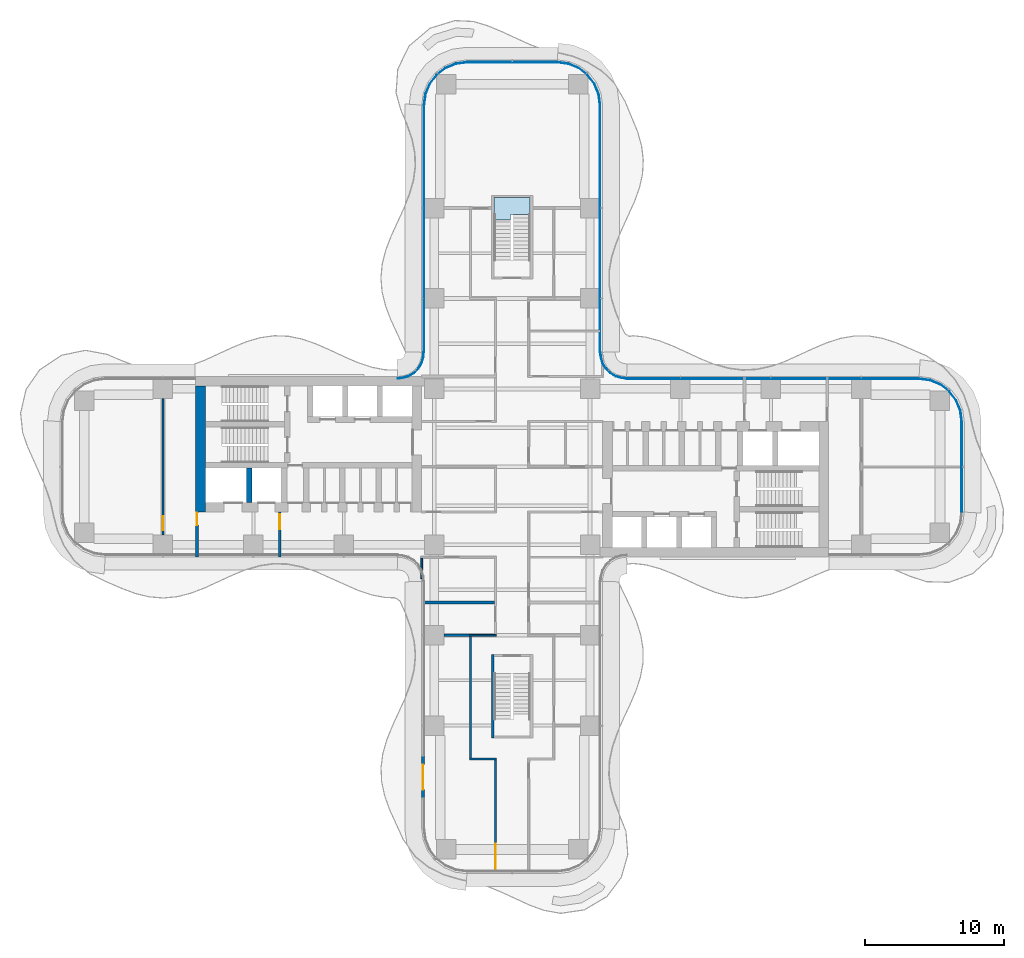
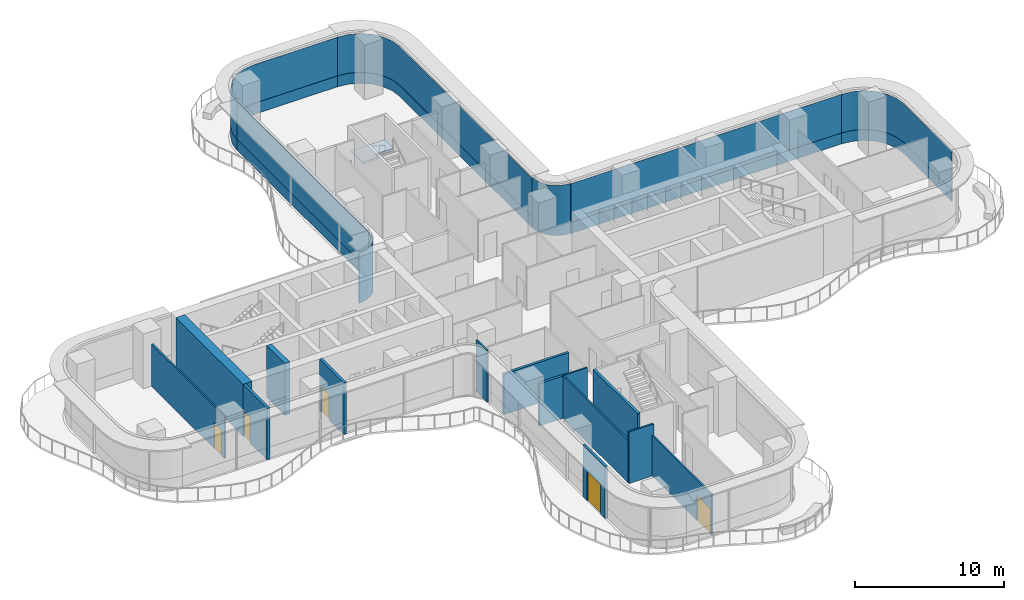
# One storey, part 16 of 22: 14 walls, 12 plates, 5 doors, 1 slab, 5 openings, 8 elements without a shape of their own.
"""IFC4 building model written with IfcOpenShell, lengths in metres."""

from ifc_helpers import new_model, si_unit, direction, frame, frame_2d, origin, place, context, subcontext, project, spatial, polyline, rectangle, outline, extrude, source, transform, mapped, material, layer, layer_set, type_object, element, fill, aggregate, save


model = new_model("IFC4")

# Units and contexts
model_context = context("Model", 3, precision=1e-05, world=origin(), true_north=direction((0.0, 1.0)))
body_context = subcontext(model_context, "Body", "Model", "MODEL_VIEW")
ifc_project = project(units=[si_unit("LENGTHUNIT", "METRE"), si_unit("AREAUNIT", "SQUARE_METRE"), si_unit("VOLUMEUNIT", "CUBIC_METRE"), si_unit("PLANEANGLEUNIT", "RADIAN"), si_unit("MASSUNIT", "GRAM", prefix="KILO")], contexts=[model_context])

# Site, building, storey
site_placement = place(None, origin())
site = spatial("IfcSite", under=ifc_project, at=site_placement, CompositionType="ELEMENT")
building_placement = place(site_placement, origin())
building = spatial("IfcBuilding", under=site, at=building_placement, Name="Trellis Farm Tower", CompositionType="ELEMENT")
storey_placement = place(building_placement, frame((0.0, 0.0, 52.0)))
storey = spatial("IfcBuildingStorey", under=building, at=storey_placement, Name="L10", CompositionType="ELEMENT", Elevation=52.0)

# Stair, slab
ifc_material_1 = material(Name="Concrete C50/60", Category="concrete")
stair_type = type_object("IfcStairType", Name="CORE EXIT STAIR 26 RISERS 173 MM", PredefinedType="HALF_TURN_STAIR", material=ifc_material_1)
placement_1 = place(storey_placement, origin())
stair = element("IfcStair", 1, at=placement_1, inside=storey, type_object=stair_type, Name="Exit stair N", PredefinedType="HALF_TURN_STAIR")
ifc_layer_1 = layer(ifc_material_1, 0.18994140625)
ifc_layer_set_1 = layer_set([ifc_layer_1], Name="CORE STAIR LANDING 190 CONCRETE C50/60")
slab_type = type_object("IfcSlabType", Name="CORE STAIR LANDING 190 CONCRETE C50/60", PredefinedType="LANDING", material=ifc_layer_set_1)
shared_shape_1 = source(origin(), body_context, "Body", "SweptSolid", [
    extrude(outline(polyline([(-0.10009765625, 17.753173828125), (-1.300048828125, 17.753173828125), (-1.300048828125, 18.14990234375), (-1.300048828125, 19.35009765625), (1.300048828125, 19.35009765625), (1.300048828125, 18.14990234375), (1.300048828125, 18.139892578125), (0.10009765625, 18.139892578125), (0.10009765625, 18.14990234375), (-0.10009765625, 18.14990234375), (-0.10009765625, 17.753173828125)])), origin(), (0.0, 0.0, 1.0), 0.18994140625),
])
slab_placement = place(storey_placement, frame((0.0, 0.0, 2.06005859375)))
slab = element("IfcSlab", 2, at=slab_placement, type_object=slab_type, Name="STN landing 1", PredefinedType="LANDING", context=body_context, shape_type="MappedRepresentation", body=[
    mapped(shared_shape_1, transform((0.0, 0.0, 0.0))),
])
aggregate(stair, [slab])

# Curtain wall, plates
ifc_material_2 = material(Name="Aluminium and glass curtain wall", Category="aluminium")
ifc_layer_2 = layer(ifc_material_2, 0.18994140625)
ifc_layer_set_2 = layer_set([ifc_layer_2], Name="RIBBON CURTAIN WALL CW1")
curtain_wall_type_1 = type_object("IfcCurtainWallType", Name="RIBBON CURTAIN WALL CW1", PredefinedType="NOTDEFINED", material=ifc_layer_set_2)
curtain_wall_1 = element("IfcCurtainWall", 3, at=placement_1, inside=storey, type_object=curtain_wall_type_1, Name="CW1 008", PredefinedType="NOTDEFINED")
ifc_material_3 = material(Name="Clear insulated glass", Category="glass")
ifc_layer_3 = layer(ifc_material_3, 0.0400390625)
ifc_layer_set_3 = layer_set([ifc_layer_3], Name="CW1 GLASS PANEL 40")
plate_type_1 = type_object("IfcPlateType", Name="CW1 GLASS PANEL 40", PredefinedType="CURTAIN_PANEL", material=ifc_layer_set_3)
shared_shape_2 = source(origin(), body_context, "Body", "SweptSolid", [
    extrude(outline(polyline([(29.240234375, 6.35009765625), (8.2265625, 6.35009765625), (8.22509765625, 6.31005859375), (29.237548828125, 6.31005859375), (29.240234375, 6.35009765625)])), origin(), (0.0, 0.0, 1.0), 3.170166015625),
])
placement_2 = place(storey_placement, frame((0.0, 0.0, 0.89990234375)))
plate_1 = element("IfcPlate", 4, at=placement_2, type_object=plate_type_1, Name="PL1 008", PredefinedType="CURTAIN_PANEL", context=body_context, shape_type="MappedRepresentation", body=[
    mapped(shared_shape_2, transform((0.0, 0.0, 0.0))),
])
ifc_material_4 = material(Name="Sandstone faced insulated panel", Category="masonry")
ifc_layer_4 = layer(ifc_material_4, 0.050048828125)
ifc_layer_set_4 = layer_set([ifc_layer_4], Name="CW1 STONE SPANDREL PANEL 50")
plate_type_2 = type_object("IfcPlateType", Name="CW1 STONE SPANDREL PANEL 50", PredefinedType="CURTAIN_PANEL", material=ifc_layer_set_4)
shared_shape_3 = source(origin(), body_context, "Body", "SweptSolid", [
    extrude(outline(polyline([(29.240234375, 6.35009765625), (8.2265625, 6.35009765625), (8.224853515625, 6.300048828125), (29.23681640625, 6.300048828125), (29.240234375, 6.35009765625)])), origin(), (0.0, 0.0, 1.0), 0.89990234375),
])
plate_2 = element("IfcPlate", 5, at=placement_1, type_object=plate_type_2, Name="PS1 008", PredefinedType="CURTAIN_PANEL", context=body_context, shape_type="MappedRepresentation", body=[
    mapped(shared_shape_3, transform((0.0, 0.0, 0.0))),
])
aggregate(curtain_wall_1, [plate_1, plate_2])

# Curtain wall, plate
ifc_layer_5 = layer(ifc_material_2, 0.166015625)
ifc_layer_set_5 = layer_set([ifc_layer_5], Name="WINTER GARDEN CURTAIN WALL CW3")
curtain_wall_type_2 = type_object("IfcCurtainWallType", Name="WINTER GARDEN CURTAIN WALL CW3", PredefinedType="NOTDEFINED", material=ifc_layer_set_5)
curtain_wall_2 = element("IfcCurtainWall", 6, at=placement_1, inside=storey, type_object=curtain_wall_type_2, Name="CW3 003", PredefinedType="NOTDEFINED")
ifc_layer_6 = layer(ifc_material_3, 0.0458984375)
ifc_layer_set_6 = layer_set([ifc_layer_6], Name="CW3 GLASS PANEL 46")
plate_type_3 = type_object("IfcPlateType", Name="CW3 GLASS PANEL 46", PredefinedType="CURTAIN_PANEL", material=ifc_layer_set_6)
shared_shape_4 = source(origin(), body_context, "Body", "SweptSolid", [
    extrude(outline(polyline([(8.2275390625, 6.3798828125), (8.0078125, 6.394287109375), (7.89208984375, 6.40966796875), (7.462158203125, 6.52490234375), (7.070556640625, 6.7509765625), (6.7509765625, 7.070556640625), (6.52490234375, 7.462158203125), (6.40966796875, 7.89208984375), (6.394287109375, 8.0078125), (6.3798828125, 8.2275390625), (6.333984375, 8.22607421875), (6.3486328125, 8.003173828125), (6.364501953125, 7.883056640625), (6.48193359375, 7.4443359375), (6.714111328125, 7.04248046875), (7.04248046875, 6.714111328125), (7.4443359375, 6.48193359375), (7.883056640625, 6.364501953125), (8.003173828125, 6.3486328125), (8.22607421875, 6.333984375), (8.2275390625, 6.3798828125)])), origin(), (0.0, 0.0, 1.0), 4.10009765625),
])
plate_3 = element("IfcPlate", 7, at=placement_1, type_object=plate_type_3, Name="PL3 003", PredefinedType="CURTAIN_PANEL", context=body_context, shape_type="MappedRepresentation", body=[
    mapped(shared_shape_4, transform((0.0, 0.0, 0.0))),
])
aggregate(curtain_wall_2, [plate_3])

# Curtain wall, plates
curtain_wall_3 = element("IfcCurtainWall", 8, at=placement_1, inside=storey, type_object=curtain_wall_type_1, Name="CW1 010", PredefinedType="NOTDEFINED")
shared_shape_5 = source(origin(), body_context, "Body", "SweptSolid", [
    extrude(outline(polyline([(3.240234375, 29.10009765625), (-3.240234375, 29.10009765625), (-4.052001953125, 28.9931640625), (-4.79931640625, 28.68359375), (-5.441162109375, 28.191162109375), (-5.93359375, 27.54931640625), (-6.2431640625, 26.802001953125), (-6.35009765625, 25.990234375), (-6.31005859375, 25.987548828125), (-6.2041015625, 26.79150390625), (-5.898681640625, 27.529296875), (-5.41259765625, 28.16259765625), (-4.779296875, 28.648681640625), (-4.04150390625, 28.9541015625), (-3.237548828125, 29.06005859375), (3.237548828125, 29.06005859375), (3.240234375, 29.10009765625)])), origin(), (0.0, 0.0, 1.0), 3.170166015625),
])
plate_4 = element("IfcPlate", 9, at=placement_2, type_object=plate_type_1, Name="PL1 010", PredefinedType="CURTAIN_PANEL", context=body_context, shape_type="MappedRepresentation", body=[
    mapped(shared_shape_5, transform((0.0, 0.0, 0.0))),
])
shared_shape_6 = source(origin(), body_context, "Body", "SweptSolid", [
    extrude(outline(polyline([(3.240234375, 29.10009765625), (-3.240234375, 29.10009765625), (-4.052001953125, 28.9931640625), (-4.79931640625, 28.68359375), (-5.441162109375, 28.191162109375), (-5.93359375, 27.54931640625), (-6.2431640625, 26.802001953125), (-6.35009765625, 25.990234375), (-6.300048828125, 25.98681640625), (-6.1943359375, 26.7890625), (-5.889892578125, 27.524169921875), (-5.405517578125, 28.155517578125), (-4.774169921875, 28.639892578125), (-4.0390625, 28.9443359375), (-3.23681640625, 29.050048828125), (3.23681640625, 29.050048828125), (3.240234375, 29.10009765625)])), origin(), (0.0, 0.0, 1.0), 0.89990234375),
])
plate_5 = element("IfcPlate", 10, at=placement_1, type_object=plate_type_2, Name="PS1 010", PredefinedType="CURTAIN_PANEL", context=body_context, shape_type="MappedRepresentation", body=[
    mapped(shared_shape_6, transform((0.0, 0.0, 0.0))),
])
aggregate(curtain_wall_3, [plate_4, plate_5])

curtain_wall_4 = element("IfcCurtainWall", 11, at=placement_1, inside=storey, type_object=curtain_wall_type_1, Name="CW1 011", PredefinedType="NOTDEFINED")
shared_shape_7 = source(origin(), body_context, "Body", "SweptSolid", [
    extrude(outline(polyline([(-6.35009765625, 25.990234375), (-6.35009765625, 8.2265625), (-6.31005859375, 8.22509765625), (-6.31005859375, 25.987548828125), (-6.35009765625, 25.990234375)])), origin(), (0.0, 0.0, 1.0), 3.170166015625),
])
plate_6 = element("IfcPlate", 12, at=placement_2, type_object=plate_type_1, Name="PL1 011", PredefinedType="CURTAIN_PANEL", context=body_context, shape_type="MappedRepresentation", body=[
    mapped(shared_shape_7, transform((0.0, 0.0, 0.0))),
])
shared_shape_8 = source(origin(), body_context, "Body", "SweptSolid", [
    extrude(outline(polyline([(-6.35009765625, 25.990234375), (-6.35009765625, 8.2265625), (-6.300048828125, 8.224853515625), (-6.300048828125, 25.98681640625), (-6.35009765625, 25.990234375)])), origin(), (0.0, 0.0, 1.0), 0.89990234375),
])
plate_7 = element("IfcPlate", 13, at=placement_1, type_object=plate_type_2, Name="PS1 011", PredefinedType="CURTAIN_PANEL", context=body_context, shape_type="MappedRepresentation", body=[
    mapped(shared_shape_8, transform((0.0, 0.0, 0.0))),
])
aggregate(curtain_wall_4, [plate_6, plate_7])

# Curtain wall, plate
curtain_wall_5 = element("IfcCurtainWall", 14, at=placement_1, inside=storey, type_object=curtain_wall_type_2, Name="CW3 004", PredefinedType="NOTDEFINED")
shared_shape_9 = source(origin(), body_context, "Body", "SweptSolid", [
    extrude(outline(polyline([(-6.3798828125, 8.2275390625), (-6.394287109375, 8.0078125), (-6.40966796875, 7.89208984375), (-6.52490234375, 7.462158203125), (-6.7509765625, 7.070556640625), (-7.070556640625, 6.7509765625), (-7.462158203125, 6.52490234375), (-7.89208984375, 6.40966796875), (-8.0078125, 6.394287109375), (-8.2275390625, 6.3798828125), (-8.22607421875, 6.333984375), (-8.003173828125, 6.3486328125), (-7.883056640625, 6.364501953125), (-7.4443359375, 6.48193359375), (-7.04248046875, 6.714111328125), (-6.714111328125, 7.04248046875), (-6.48193359375, 7.4443359375), (-6.364501953125, 7.883056640625), (-6.3486328125, 8.003173828125), (-6.333984375, 8.22607421875), (-6.3798828125, 8.2275390625)])), origin(), (0.0, 0.0, 1.0), 4.10009765625),
])
plate_8 = element("IfcPlate", 15, at=placement_1, type_object=plate_type_3, Name="PL3 004", PredefinedType="CURTAIN_PANEL", context=body_context, shape_type="MappedRepresentation", body=[
    mapped(shared_shape_9, transform((0.0, 0.0, 0.0))),
])
aggregate(curtain_wall_5, [plate_8])

# Curtain wall, plates
curtain_wall_6 = element("IfcCurtainWall", 16, at=placement_1, inside=storey, type_object=curtain_wall_type_1, Name="CW1 009", PredefinedType="NOTDEFINED")
shared_shape_10 = source(origin(), body_context, "Body", "SweptSolid", [
    extrude(outline(polyline([(6.35009765625, 8.2265625), (6.35009765625, 25.990234375), (6.2431640625, 26.802001953125), (5.93359375, 27.54931640625), (5.441162109375, 28.191162109375), (4.79931640625, 28.68359375), (4.052001953125, 28.9931640625), (3.240234375, 29.10009765625), (3.237548828125, 29.06005859375), (4.04150390625, 28.9541015625), (4.779296875, 28.648681640625), (5.41259765625, 28.16259765625), (5.898681640625, 27.529296875), (6.2041015625, 26.79150390625), (6.31005859375, 25.987548828125), (6.31005859375, 8.22509765625), (6.35009765625, 8.2265625)])), origin(), (0.0, 0.0, 1.0), 3.170166015625),
])
plate_9 = element("IfcPlate", 17, at=placement_2, type_object=plate_type_1, Name="PL1 009", PredefinedType="CURTAIN_PANEL", context=body_context, shape_type="MappedRepresentation", body=[
    mapped(shared_shape_10, transform((0.0, 0.0, 0.0))),
])
shared_shape_11 = source(origin(), body_context, "Body", "SweptSolid", [
    extrude(outline(polyline([(6.35009765625, 8.2265625), (6.35009765625, 25.990234375), (6.2431640625, 26.802001953125), (5.93359375, 27.54931640625), (5.441162109375, 28.191162109375), (4.79931640625, 28.68359375), (4.052001953125, 28.9931640625), (3.240234375, 29.10009765625), (3.23681640625, 29.050048828125), (4.0390625, 28.9443359375), (4.774169921875, 28.639892578125), (5.405517578125, 28.155517578125), (5.889892578125, 27.524169921875), (6.1943359375, 26.7890625), (6.300048828125, 25.98681640625), (6.300048828125, 8.224853515625), (6.35009765625, 8.2265625)])), origin(), (0.0, 0.0, 1.0), 0.89990234375),
])
plate_10 = element("IfcPlate", 18, at=placement_1, type_object=plate_type_2, Name="PS1 009", PredefinedType="CURTAIN_PANEL", context=body_context, shape_type="MappedRepresentation", body=[
    mapped(shared_shape_11, transform((0.0, 0.0, 0.0))),
])
aggregate(curtain_wall_6, [plate_9, plate_10])

curtain_wall_7 = element("IfcCurtainWall", 19, at=placement_1, inside=storey, type_object=curtain_wall_type_1, Name="CW1 007", PredefinedType="NOTDEFINED")
shared_shape_12 = source(origin(), body_context, "Body", "SweptSolid", [
    extrude(outline(polyline([(32.35009765625, -3.240234375), (32.35009765625, 3.240234375), (32.2431640625, 4.052001953125), (31.93359375, 4.79931640625), (31.441162109375, 5.441162109375), (30.79931640625, 5.93359375), (30.052001953125, 6.2431640625), (29.240234375, 6.35009765625), (29.237548828125, 6.31005859375), (30.04150390625, 6.2041015625), (30.779296875, 5.898681640625), (31.41259765625, 5.41259765625), (31.898681640625, 4.779296875), (32.2041015625, 4.04150390625), (32.31005859375, 3.237548828125), (32.31005859375, -3.237548828125), (32.35009765625, -3.240234375)])), origin(), (0.0, 0.0, 1.0), 3.170166015625),
])
plate_11 = element("IfcPlate", 20, at=placement_2, type_object=plate_type_1, Name="PL1 007", PredefinedType="CURTAIN_PANEL", context=body_context, shape_type="MappedRepresentation", body=[
    mapped(shared_shape_12, transform((0.0, 0.0, 0.0))),
])
shared_shape_13 = source(origin(), body_context, "Body", "SweptSolid", [
    extrude(outline(polyline([(32.35009765625, -3.240234375), (32.35009765625, 3.240234375), (32.2431640625, 4.052001953125), (31.93359375, 4.79931640625), (31.441162109375, 5.441162109375), (30.79931640625, 5.93359375), (30.052001953125, 6.2431640625), (29.240234375, 6.35009765625), (29.23681640625, 6.300048828125), (30.0390625, 6.1943359375), (30.774169921875, 5.889892578125), (31.405517578125, 5.405517578125), (31.889892578125, 4.774169921875), (32.1943359375, 4.0390625), (32.300048828125, 3.23681640625), (32.300048828125, -3.23681640625), (32.35009765625, -3.240234375)])), origin(), (0.0, 0.0, 1.0), 0.89990234375),
])
plate_12 = element("IfcPlate", 21, at=placement_1, type_object=plate_type_2, Name="PS1 007", PredefinedType="CURTAIN_PANEL", context=body_context, shape_type="MappedRepresentation", body=[
    mapped(shared_shape_13, transform((0.0, 0.0, 0.0))),
])
aggregate(curtain_wall_7, [plate_11, plate_12])

# Walls
ifc_material_5 = material(Name="Concrete C80/95", Category="concrete")
ifc_layer_7 = layer(ifc_material_5, 0.699951171875)
ifc_layer_set_7 = layer_set([ifc_layer_7], Name="CORE OUTER WALL 700 CONCRETE C80/95")
wall_type_1 = type_object("IfcWallType", Name="CORE OUTER WALL 700 CONCRETE C80/95", PredefinedType="SHEAR", material=ifc_layer_set_7)
shared_shape_14 = source(origin(), body_context, "Body", "SweptSolid", [
    extrude(rectangle(XDim=9.050048828125, YDim=0.699951171875, at=frame_2d((4.52490234375, 0.0))), origin(), (0.0, 0.0, 1.0), 4.25),
])
wall_1_placement = place(storey_placement, frame((-22.39990234375, 5.800048828125, 0.0), z_axis=(0.0, 0.0, 1.0), x_axis=(0.0, -1.0, 0.0)))
element("IfcWall", 22, at=wall_1_placement, inside=storey, type_object=wall_type_1, Name="Core wall", PredefinedType="SHEAR", context=body_context, shape_type="MappedRepresentation", body=[
    mapped(shared_shape_14, transform((0.0, 0.0, 0.0))),
])
ifc_layer_8 = layer(ifc_material_5, 0.39990234375)
ifc_layer_set_8 = layer_set([ifc_layer_8], Name="CORE INNER WALL 400 CONCRETE C80/95")
wall_type_2 = type_object("IfcWallType", Name="CORE INNER WALL 400 CONCRETE C80/95", PredefinedType="SHEAR", material=ifc_layer_set_8)
shared_shape_15 = source(origin(), body_context, "Body", "SweptSolid", [
    extrude(rectangle(XDim=2.449951171875, YDim=0.39990234375, at=frame_2d((1.22509765625, 0.0))), origin(), (0.0, 0.0, 1.0), 4.25),
])
wall_2_placement = place(storey_placement, frame((-18.89990234375, -0.10009765625, 0.0), z_axis=(0.0, 0.0, 1.0), x_axis=(0.0, -1.0, 0.0)))
element("IfcWall", 23, at=wall_2_placement, inside=storey, type_object=wall_type_2, Name="Core wall", PredefinedType="SHEAR", context=body_context, shape_type="MappedRepresentation", body=[
    mapped(shared_shape_15, transform((0.0, 0.0, 0.0))),
])

# Wall, opening, door
ifc_material_6 = material(Name="Masonry blockwork", Category="masonry")
ifc_layer_9 = layer(ifc_material_6, 0.199951171875)
ifc_layer_set_9 = layer_set([ifc_layer_9], Name="FIRE LOBBY PARTITION 200 BLOCKWORK")
wall_type_3 = type_object("IfcWallType", Name="FIRE LOBBY PARTITION 200 BLOCKWORK", PredefinedType="PARTITIONING", material=ifc_layer_set_9)
shared_shape_16 = source(origin(), body_context, "Body", "SweptSolid", [
    extrude(rectangle(XDim=3.25, YDim=0.199951171875, at=frame_2d((1.625, 0.0))), origin(), (0.0, 0.0, 1.0), 4.25),
])
wall_3_placement = place(storey_placement, frame((-16.699951171875, -3.25, 0.0), z_axis=(0.0, 0.0, 1.0), x_axis=(0.0, -1.0, 0.0)))
wall_3 = element("IfcWall", 24, at=wall_3_placement, inside=storey, type_object=wall_type_3, Name="Fire-fighting lobby partition", PredefinedType="PARTITIONING", context=body_context, shape_type="MappedRepresentation", body=[
    mapped(shared_shape_16, transform((0.0, 0.0, 0.0))),
])
shared_shape_17 = source(origin(), body_context, "Body", "SweptSolid", [
    extrude(rectangle(XDim=1.10009765625, YDim=2.10009765625, at=frame_2d((0.550048828125, 1.050048828125))), frame((0.0, 0.110107421875, 0.0), z_axis=(0.0, -1.0, 0.0), x_axis=(1.0, 0.0, 0.0)), (0.0, 0.0, 1.0), 0.22021484375),
])
opening_1_placement = place(wall_3_placement, frame((0.14990234375, 0.0, 0.0)))
opening_1 = element("IfcOpeningElement", 25, at=opening_1_placement, cuts=wall_3, Name="Opening DC93", PredefinedType="OPENING", context=body_context, shape_type="MappedRepresentation", body=[
    mapped(shared_shape_17, transform((0.0, 0.0, 0.0))),
])
ifc_material_7 = material(Name="Steel", Category="steel")
door_type_1 = type_object("IfcDoorType", Name="CORE FIRE DOOR 1100 X 2100", OperationType="NOTDEFINED", PredefinedType="DOOR", material=ifc_material_7)
shared_shape_18 = source(origin(), body_context, "Body", "SweptSolid", [
    extrude(rectangle(XDim=1.10009765625, YDim=2.10009765625, at=frame_2d((0.550048828125, 1.050048828125))), frame((0.0, 0.02490234375, 0.0), z_axis=(0.0, -1.0, 0.0), x_axis=(1.0, 0.0, 0.0)), (0.0, 0.0, 1.0), 0.050048828125),
])
door_1_placement = place(opening_1_placement, origin())
door_1 = element("IfcDoor", 26, at=door_1_placement, inside=storey, type_object=door_type_1, Name="Core door", OperationType="SINGLE_SWING_RIGHT", OverallHeight=2.10009765625, OverallWidth=1.10009765625, PredefinedType="DOOR", context=body_context, shape_type="MappedRepresentation", body=[
    mapped(shared_shape_18, transform((0.0, 0.0, 0.0))),
])
fill(opening_1, door_1)

wall_4_placement = place(storey_placement, frame((-22.64990234375, -3.25, 0.0), z_axis=(0.0, 0.0, 1.0), x_axis=(0.0, -1.0, 0.0)))
wall_4 = element("IfcWall", 27, at=wall_4_placement, inside=storey, type_object=wall_type_3, Name="Fire-fighting lobby partition", PredefinedType="PARTITIONING", context=body_context, shape_type="MappedRepresentation", body=[
    mapped(shared_shape_16, transform((0.0, 0.0, 0.0))),
])
shared_shape_19 = source(origin(), body_context, "Body", "SweptSolid", [
    extrude(rectangle(XDim=0.89990234375, YDim=2.10009765625, at=frame_2d((0.449951171875, 1.050048828125))), frame((0.0, 0.110107421875, 0.0), z_axis=(0.0, -1.0, 0.0), x_axis=(1.0, 0.0, 0.0)), (0.0, 0.0, 1.0), 0.22021484375),
])
opening_2_placement = place(wall_4_placement, frame((0.050048828125, 0.0, 0.0)))
opening_2 = element("IfcOpeningElement", 28, at=opening_2_placement, cuts=wall_4, Name="Opening DC94", PredefinedType="OPENING", context=body_context, shape_type="MappedRepresentation", body=[
    mapped(shared_shape_19, transform((0.0, 0.0, 0.0))),
])
door_type_2 = type_object("IfcDoorType", Name="CORE FIRE DOOR 900 X 2100", OperationType="NOTDEFINED", PredefinedType="DOOR", material=ifc_material_7)
shared_shape_20 = source(origin(), body_context, "Body", "SweptSolid", [
    extrude(rectangle(XDim=0.89990234375, YDim=2.10009765625, at=frame_2d((0.449951171875, 1.050048828125))), frame((0.0, 0.02490234375, 0.0), z_axis=(0.0, -1.0, 0.0), x_axis=(1.0, 0.0, 0.0)), (0.0, 0.0, 1.0), 0.050048828125),
])
door_2_placement = place(opening_2_placement, origin())
door_2 = element("IfcDoor", 29, at=door_2_placement, inside=storey, type_object=door_type_2, Name="Core door", OperationType="SINGLE_SWING_RIGHT", OverallHeight=2.10009765625, OverallWidth=0.89990234375, PredefinedType="DOOR", context=body_context, shape_type="MappedRepresentation", body=[
    mapped(shared_shape_20, transform((0.0, 0.0, 0.0))),
])
fill(opening_2, door_2)

# Wall
ifc_layer_10 = layer(ifc_material_5, 0.199951171875)
ifc_layer_set_10 = layer_set([ifc_layer_10], Name="CORE STAIR ENCLOSURE WALL 200 CONCRETE C80/95")
wall_type_4 = type_object("IfcWallType", Name="CORE STAIR ENCLOSURE WALL 200 CONCRETE C80/95", PredefinedType="SHEAR", material=ifc_layer_set_10)
shared_shape_21 = source(origin(), body_context, "Body", "SweptSolid", [
    extrude(rectangle(XDim=6.0, YDim=0.199951171875, at=frame_2d((3.0, 0.0))), origin(), (0.0, 0.0, 1.0), 4.25),
])
wall_5_placement = place(storey_placement, frame((-1.39990234375, -13.5, 0.0), z_axis=(0.0, 0.0, 1.0), x_axis=(0.0, -1.0, 0.0)))
element("IfcWall", 30, at=wall_5_placement, inside=storey, type_object=wall_type_4, Name="Stair enclosure wall", PredefinedType="SHEAR", context=body_context, shape_type="MappedRepresentation", body=[
    mapped(shared_shape_21, transform((0.0, 0.0, 0.0))),
])

# Wall, opening, door
ifc_material_8 = material(Name="Sandstone faced insulated wall", Category="masonry")
ifc_layer_11 = layer(ifc_material_8, 0.199951171875)
ifc_layer_set_11 = layer_set([ifc_layer_11], Name="EXTERNAL INFILL WALL 200")
wall_type_5 = type_object("IfcWallType", Name="EXTERNAL INFILL WALL 200", PredefinedType="SOLIDWALL", material=ifc_layer_set_11)
shared_shape_22 = source(origin(), body_context, "Body", "SweptSolid", [
    extrude(rectangle(XDim=3.0, YDim=0.199951171875, at=frame_2d((1.5, 0.0))), origin(), (0.0, 0.0, 1.0), 4.25),
])
wall_6_placement = place(storey_placement, frame((-6.39990234375, -20.800048828125, 0.0), z_axis=(0.0, 0.0, 1.0), x_axis=(0.0, -1.0, 0.0)))
wall_6 = element("IfcWall", 31, at=wall_6_placement, inside=storey, type_object=wall_type_5, Name="EW1 01", PredefinedType="SOLIDWALL", context=body_context, shape_type="MappedRepresentation", body=[
    mapped(shared_shape_22, transform((0.0, 0.0, 0.0))),
])
shared_shape_23 = source(origin(), body_context, "Body", "SweptSolid", [
    extrude(rectangle(XDim=1.800048828125, YDim=2.39990234375, at=frame_2d((0.89990234375, 1.199951171875))), frame((0.0, 0.110107421875, 0.0), z_axis=(0.0, -1.0, 0.0), x_axis=(1.0, 0.0, 0.0)), (0.0, 0.0, 1.0), 0.22021484375),
])
opening_3_placement = place(wall_6_placement, frame((0.60009765625, 0.0, 0.0)))
opening_3 = element("IfcOpeningElement", 32, at=opening_3_placement, cuts=wall_6, Name="Opening ED1", PredefinedType="OPENING", context=body_context, shape_type="MappedRepresentation", body=[
    mapped(shared_shape_23, transform((0.0, 0.0, 0.0))),
])
ifc_material_9 = material(Name="Aluminium framed glazed door", Category="aluminium")
door_type_3 = type_object("IfcDoorType", Name="BALCONY DOOR 1800x2400", OperationType="DOUBLE_DOOR_SINGLE_SWING", PredefinedType="DOOR", material=ifc_material_9)
shared_shape_24 = source(origin(), body_context, "Body", "SweptSolid", [
    extrude(rectangle(XDim=1.800048828125, YDim=2.39990234375, at=frame_2d((0.89990234375, 1.199951171875))), frame((0.0, 0.02490234375, 0.0), z_axis=(0.0, -1.0, 0.0), x_axis=(1.0, 0.0, 0.0)), (0.0, 0.0, 1.0), 0.050048828125),
])
door_3_placement = place(opening_3_placement, origin())
door_3 = element("IfcDoor", 33, at=door_3_placement, inside=storey, type_object=door_type_3, Name="Balcony door", OperationType="DOUBLE_DOOR_SINGLE_SWING", OverallHeight=2.39990234375, OverallWidth=1.800048828125, PredefinedType="DOOR", context=body_context, shape_type="MappedRepresentation", body=[
    mapped(shared_shape_24, transform((0.0, 0.0, 0.0))),
])
fill(opening_3, door_3)

# Wall
ifc_material_10 = material(Name="Plasterboard on steel studs, mineral wool", Category="steel")
ifc_layer_12 = layer(ifc_material_10, 0.125)
ifc_layer_set_12 = layer_set([ifc_layer_12], Name="PARTITION 125 STUD EI 60")
wall_type_6 = type_object("IfcWallType", Name="PARTITION 125 STUD EI 60", PredefinedType="PARTITIONING", material=ifc_layer_set_12)
shared_shape_25 = source(origin(), body_context, "Body", "SweptSolid", [
    extrude(rectangle(XDim=1.468994140625, YDim=0.125, at=frame_2d((0.734375, 0.0))), origin(), (0.0, 0.0, 1.0), 4.25),
])
wall_7_placement = place(storey_placement, frame((-6.5, -6.5625, 0.0), z_axis=(0.0, 0.0, 1.0), x_axis=(0.0, -1.0, 0.0)))
element("IfcWall", 34, at=wall_7_placement, inside=storey, type_object=wall_type_6, Name="Partition PW1", PredefinedType="PARTITIONING", context=body_context, shape_type="MappedRepresentation", body=[
    mapped(shared_shape_25, transform((0.0, 0.0, 0.0))),
])

# Wall, opening, door
shared_shape_26 = source(origin(), body_context, "Body", "SweptSolid", [
    extrude(rectangle(XDim=9.7998046875, YDim=0.125, at=frame_2d((4.89990234375, 0.0))), origin(), (0.0, 0.0, 1.0), 3.4677734375),
])
wall_8_placement = place(storey_placement, frame((-25.10009765625, -4.89990234375, 0.0), z_axis=(0.0, 0.0, 1.0), x_axis=(0.0, 1.0, 0.0)))
wall_8 = element("IfcWall", 35, at=wall_8_placement, inside=storey, type_object=wall_type_6, Name="Partition PW1", PredefinedType="PARTITIONING", context=body_context, shape_type="MappedRepresentation", body=[
    mapped(shared_shape_26, transform((0.0, 0.0, 0.0))),
])
shared_shape_27 = source(origin(), body_context, "Body", "SweptSolid", [
    extrude(rectangle(XDim=1.0, YDim=2.10009765625, at=frame_2d((0.5, 1.050048828125))), frame((0.0, 0.072509765625, 0.0), z_axis=(0.0, -1.0, 0.0), x_axis=(1.0, 0.0, 0.0)), (0.0, 0.0, 1.0), 0.14501953125),
])
opening_4_placement = place(wall_8_placement, frame((0.35009765625, 0.0, 0.0)))
opening_4 = element("IfcOpeningElement", 36, at=opening_4_placement, cuts=wall_8, Name="Opening D106", PredefinedType="OPENING", context=body_context, shape_type="MappedRepresentation", body=[
    mapped(shared_shape_27, transform((0.0, 0.0, 0.0))),
])
ifc_material_11 = material(Name="Fire-rated timber door leaf in a hollow metal frame", Category="wood")
door_type_4 = type_object("IfcDoorType", Name="DOOR 1000x2100 FD30S", OperationType="NOTDEFINED", PredefinedType="DOOR", material=ifc_material_11)
shared_shape_28 = source(origin(), body_context, "Body", "SweptSolid", [
    extrude(rectangle(XDim=1.0, YDim=2.10009765625, at=frame_2d((0.5, 1.050048828125))), frame((0.0, 0.02490234375, 0.0), z_axis=(0.0, -1.0, 0.0), x_axis=(1.0, 0.0, 0.0)), (0.0, 0.0, 1.0), 0.050048828125),
])
door_4_placement = place(opening_4_placement, origin())
door_4 = element("IfcDoor", 37, at=door_4_placement, inside=storey, type_object=door_type_4, Name="Door D106", OperationType="SINGLE_SWING_LEFT", OverallHeight=2.10009765625, OverallWidth=1.0, PredefinedType="DOOR", context=body_context, shape_type="MappedRepresentation", body=[
    mapped(shared_shape_28, transform((0.0, 0.0, 0.0))),
])
fill(opening_4, door_4)

# Walls
shared_shape_29 = source(origin(), body_context, "Body", "SweptSolid", [
    extrude(rectangle(XDim=1.925048828125, YDim=0.125, at=frame_2d((0.96240234375, 0.0))), origin(), (0.0, 0.0, 1.0), 3.4677734375),
])
wall_9_placement = place(storey_placement, frame((-3.0625, -12.10009765625, 0.0), z_axis=(0.0, 0.0, 1.0), x_axis=(1.0, 0.0, 0.0)))
element("IfcWall", 38, at=wall_9_placement, inside=storey, type_object=wall_type_6, Name="Partition PW1", PredefinedType="PARTITIONING", context=body_context, shape_type="MappedRepresentation", body=[
    mapped(shared_shape_29, transform((0.0, 0.0, 0.0))),
])
ifc_material_12 = material(Name="Lightweight blockwork, plastered", Category="masonry")
ifc_layer_13 = layer(ifc_material_12, 0.199951171875)
ifc_layer_set_13 = layer_set([ifc_layer_13], Name="BLOCK WALL 200 EI 120")
wall_type_7 = type_object("IfcWallType", Name="BLOCK WALL 200 EI 120", PredefinedType="PARTITIONING", material=ifc_layer_set_13)
shared_shape_30 = source(origin(), body_context, "Body", "SweptSolid", [
    extrude(rectangle(XDim=1.96240234375, YDim=0.199951171875, at=frame_2d((0.981201171875, 0.0))), origin(), (0.0, 0.0, 1.0), 3.4677734375),
])
wall_10_placement = place(storey_placement, frame((-4.89990234375, -12.10009765625, 0.0), z_axis=(0.0, 0.0, 1.0), x_axis=(1.0, 0.0, 0.0)))
element("IfcWall", 39, at=wall_10_placement, inside=storey, type_object=wall_type_7, Name="Partition PW3", PredefinedType="PARTITIONING", context=body_context, shape_type="MappedRepresentation", body=[
    mapped(shared_shape_30, transform((0.0, 0.0, 0.0))),
])

# Wall, opening, door
shared_shape_31 = source(origin(), body_context, "Body", "SweptSolid", [
    extrude(rectangle(XDim=7.987548828125, YDim=0.125, at=frame_2d((3.99365234375, 0.0))), origin(), (0.0, 0.0, 1.0), 3.330078125),
])
wall_11_placement = place(storey_placement, frame((-1.199951171875, -21.0625, 0.0), z_axis=(0.0, 0.0, 1.0), x_axis=(0.0, -1.0, 0.0)))
wall_11 = element("IfcWall", 40, at=wall_11_placement, inside=storey, type_object=wall_type_6, Name="Partition PW1", PredefinedType="PARTITIONING", context=body_context, shape_type="MappedRepresentation", body=[
    mapped(shared_shape_31, transform((0.0, 0.0, 0.0))),
])
shared_shape_32 = source(origin(), body_context, "Body", "SweptSolid", [
    extrude(rectangle(XDim=1.800048828125, YDim=2.10009765625, at=frame_2d((0.89990234375, 1.050048828125))), frame((0.0, 0.072509765625, 0.0), z_axis=(0.0, -1.0, 0.0), x_axis=(1.0, 0.0, 0.0)), (0.0, 0.0, 1.0), 0.14501953125),
])
opening_5_placement = place(wall_11_placement, frame((6.03759765625, 0.0, 0.0)))
opening_5 = element("IfcOpeningElement", 41, at=opening_5_placement, cuts=wall_11, Name="Opening D201", PredefinedType="OPENING", context=body_context, shape_type="MappedRepresentation", body=[
    mapped(shared_shape_32, transform((0.0, 0.0, 0.0))),
])
door_type_5 = type_object("IfcDoorType", Name="DOOR PAIR 1800x2100 FD30S", OperationType="NOTDEFINED", PredefinedType="DOOR", material=ifc_material_11)
shared_shape_33 = source(origin(), body_context, "Body", "SweptSolid", [
    extrude(rectangle(XDim=1.800048828125, YDim=2.10009765625, at=frame_2d((0.89990234375, 1.050048828125))), frame((0.0, 0.02490234375, 0.0), z_axis=(0.0, -1.0, 0.0), x_axis=(1.0, 0.0, 0.0)), (0.0, 0.0, 1.0), 0.050048828125),
])
door_5_placement = place(opening_5_placement, origin())
door_5 = element("IfcDoor", 42, at=door_5_placement, inside=storey, type_object=door_type_5, Name="Door D201", OperationType="DOUBLE_DOOR_SINGLE_SWING", OverallHeight=2.10009765625, OverallWidth=1.800048828125, PredefinedType="DOOR", context=body_context, shape_type="MappedRepresentation", body=[
    mapped(shared_shape_33, transform((0.0, 0.0, 0.0))),
])
fill(opening_5, door_5)

# Walls
shared_shape_34 = source(origin(), body_context, "Body", "SweptSolid", [
    extrude(rectangle(XDim=8.737548828125, YDim=0.125, at=frame_2d((4.36865234375, 0.0))), origin(), (0.0, 0.0, 1.0), 3.4677734375),
])
wall_12_placement = place(storey_placement, frame((-3.0, -20.9375, 0.0), z_axis=(0.0, 0.0, 1.0), x_axis=(0.0, 1.0, 0.0)))
element("IfcWall", 43, at=wall_12_placement, inside=storey, type_object=wall_type_6, Name="Partition PW1", PredefinedType="PARTITIONING", context=body_context, shape_type="MappedRepresentation", body=[
    mapped(shared_shape_34, transform((0.0, 0.0, 0.0))),
])
shared_shape_35 = source(origin(), body_context, "Body", "SweptSolid", [
    extrude(rectangle(XDim=1.925048828125, YDim=0.125, at=frame_2d((0.96240234375, 0.0))), origin(), (0.0, 0.0, 1.0), 4.25),
])
wall_13_placement = place(storey_placement, frame((-1.137451171875, -21.0, 0.0), z_axis=(0.0, 0.0, 1.0), x_axis=(-1.0, 0.0, 0.0)))
element("IfcWall", 44, at=wall_13_placement, inside=storey, type_object=wall_type_6, Name="Partition PW1", PredefinedType="PARTITIONING", context=body_context, shape_type="MappedRepresentation", body=[
    mapped(shared_shape_35, transform((0.0, 0.0, 0.0))),
])
shared_shape_36 = source(origin(), body_context, "Body", "SweptSolid", [
    extrude(rectangle(XDim=5.03759765625, YDim=0.199951171875, at=frame_2d((2.518798828125, 0.0))), origin(), (0.0, 0.0, 1.0), 3.330078125),
])
wall_14_placement = place(storey_placement, frame((-6.300048828125, -9.75, 0.0), z_axis=(0.0, 0.0, 1.0), x_axis=(1.0, 0.0, 0.0)))
element("IfcWall", 45, at=wall_14_placement, inside=storey, type_object=wall_type_7, Name="Partition PW3", PredefinedType="PARTITIONING", context=body_context, shape_type="MappedRepresentation", body=[
    mapped(shared_shape_36, transform((0.0, 0.0, 0.0))),
])

save(model, "model.ifc")
